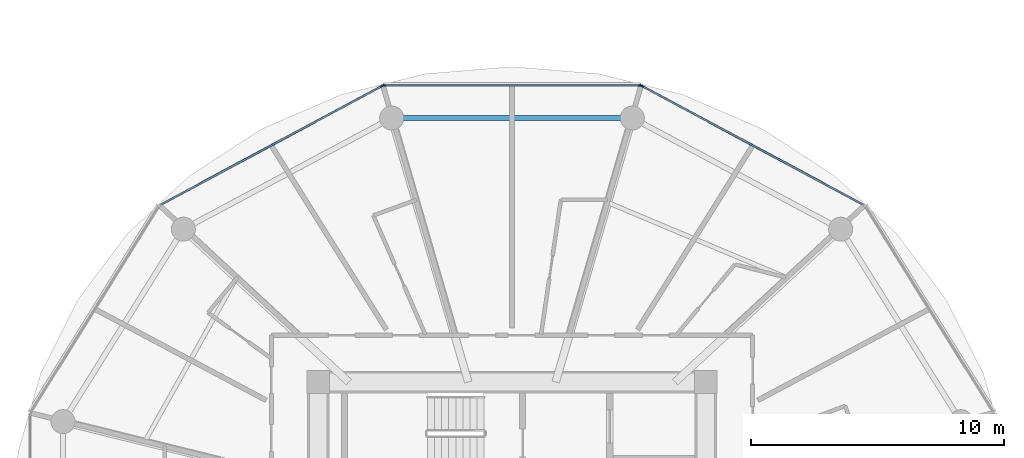
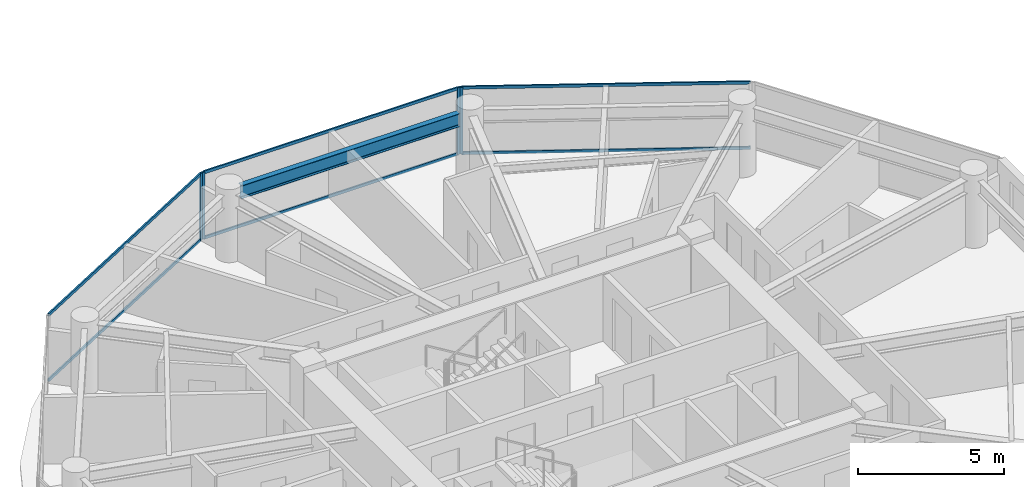
# One storey, part 9 of 27: 10 members, 1 beam, 3 elements without a shape of their own.
"""IFC4 building model written with IfcOpenShell, lengths in metres."""

from ifc_helpers import new_model, si_unit, direction, frame, origin, origin_2d, place, context, subcontext, project, spatial, rectangle, i_section, extrude, source, transform, mapped, material, layer, layer_set, material_profile, profile_set, type_object, type_shapes, element, aggregate, save


model = new_model("IFC4")

# Units and contexts
model_context = context("Model", 3, precision=1e-05, world=origin(), true_north=direction((0.0, 1.0)))
body_context = subcontext(model_context, "Body", "Model", "MODEL_VIEW")
ifc_project = project(units=[si_unit("LENGTHUNIT", "METRE"), si_unit("AREAUNIT", "SQUARE_METRE"), si_unit("VOLUMEUNIT", "CUBIC_METRE"), si_unit("PLANEANGLEUNIT", "RADIAN"), si_unit("MASSUNIT", "GRAM", prefix="KILO")], contexts=[model_context])

# Site, building, storey
site_placement = place(None, origin())
site = spatial("IfcSite", under=ifc_project, at=site_placement, CompositionType="ELEMENT")
building_placement = place(site_placement, origin())
building = spatial("IfcBuilding", under=site, at=building_placement, Name="Norrkilde Senior Care Towers", CompositionType="ELEMENT")
storey_placement = place(building_placement, frame((0.0, 0.0, 61.25)))
storey = spatial("IfcBuildingStorey", under=building, at=storey_placement, Name="L18", CompositionType="ELEMENT", Elevation=61.25)

# Beam
ifc_material_1 = material(Name="Steel S355", Category="steel")
ifc_material_profile_1 = material_profile(ifc_material_1, i_section(OverallWidth=0.2099609375, OverallDepth=0.550048828125, WebThickness=0.010986328125, FlangeThickness=0.01708984375, FilletRadius=0.02392578125, at=origin_2d()), Name="IPE 550")
ifc_profile_set_1 = profile_set([ifc_material_profile_1], Name="Steel S355")
beam_type = type_object("IfcBeamType", Name="Perimeter Ring Spandrel Z1 IPE550", PredefinedType="SPANDREL", material=ifc_profile_set_1)
shared_shape_1 = source(origin(), body_context, "Body", "SweptSolid", [
    extrude(i_section(OverallWidth=0.2099609375, OverallDepth=0.550048828125, WebThickness=0.010986328125, FlangeThickness=0.01708984375, FilletRadius=0.02392578125, at=origin_2d()), origin(), (0.0, 0.0, 1.0), 8.62841796875),
])
type_shapes(beam_type, [shared_shape_1])
beam_placement = place(storey_placement, frame((-23.685791015625, 16.37255859375, 2.514892578125), z_axis=(-1.0, 0.0, 0.0), x_axis=(0.0, -1.0, 0.0)))
element("IfcBeam", 1, at=beam_placement, inside=storey, type_object=beam_type, Name="L18 Drum W Perimeter Spandrel 03", PredefinedType="SPANDREL", context=body_context, shape_type="MappedRepresentation", body=[
    mapped(shared_shape_1, transform((0.0, 0.0, 0.0), x_axis=(1.0, 0.0, 0.0), y_axis=(0.0, 1.0, 0.0), z_axis=(0.0, 0.0, 1.0), scale=1.0)),
])

# Curtain wall, member
ifc_material_2 = material(Name="Triple Low-E Insulated Glazing", Category="glass")
ifc_layer = layer(ifc_material_2, 0.199951171875)
ifc_layer_set = layer_set([ifc_layer], Name="Triple Low-E Insulated Glazing")
curtain_wall_type = type_object("IfcCurtainWallType", Name="CW2 Zone 1 Memory Care Curtain Wall", PredefinedType="NOTDEFINED", material=ifc_layer_set)
curtain_wall_1_placement = place(storey_placement, origin())
curtain_wall_1 = element("IfcCurtainWall", 2, at=curtain_wall_1_placement, inside=storey, type_object=curtain_wall_type, Name="L18 Drum W Curtain Wall 01", PredefinedType="NOTDEFINED")
ifc_material_3 = material(Name="Anodised Aluminium", Category="aluminium")
ifc_material_profile_2 = material_profile(ifc_material_3, rectangle(XDim=0.06494140625, YDim=0.159912109375, at=origin_2d()), Name="ALU MULL 65x160")
ifc_profile_set_2 = profile_set([ifc_material_profile_2], Name="Anodised Aluminium")
member_type_1 = type_object("IfcMemberType", Name="Curtain Wall Mullion Z1-Z2 65x160", PredefinedType="MULLION", material=ifc_profile_set_2)
shared_shape_2 = source(origin(), body_context, "Body", "SweptSolid", [
    extrude(rectangle(XDim=0.06494140625, YDim=0.159912109375, at=origin_2d()), origin(), (0.0, 0.0, 1.0), 2.7900390625),
])
type_shapes(member_type_1, [shared_shape_2])
member_1_placement = place(storey_placement, frame((-22.877685546875, 17.641845703125, 0.0), z_axis=(0.0, 0.0, 1.0), x_axis=(0.472607802456, 0.881272866403, 0.0)))
member_1 = element("IfcMember", 3, at=member_1_placement, type_object=member_type_1, Name="CW-2 mullion 1", PredefinedType="MULLION", context=body_context, shape_type="MappedRepresentation", body=[
    mapped(shared_shape_2, transform((0.0, 0.0, 0.0), x_axis=(1.0, 0.0, 0.0), y_axis=(0.0, 1.0, 0.0), z_axis=(0.0, 0.0, 1.0), scale=1.0)),
])

# Curtain wall, members
curtain_wall_2_placement = place(storey_placement, origin())
curtain_wall_2 = element("IfcCurtainWall", 4, at=curtain_wall_2_placement, inside=storey, type_object=curtain_wall_type, Name="L18 Drum W Curtain Wall 02", PredefinedType="NOTDEFINED")
member_2_placement = place(storey_placement, frame((-33.06103515625, 17.6572265625, 0.0), z_axis=(0.0, 0.0, 1.0), x_axis=(0.0, 1.0, 0.0)))
member_2 = element("IfcMember", 5, at=member_2_placement, type_object=member_type_1, Name="CW-2 mullion 1", PredefinedType="MULLION", context=body_context, shape_type="MappedRepresentation", body=[
    mapped(shared_shape_2, transform((0.0, 0.0, 0.0), x_axis=(1.0, 0.0, 0.0), y_axis=(0.0, 1.0, 0.0), z_axis=(0.0, 0.0, 1.0), scale=1.0)),
])
member_3_placement = place(storey_placement, frame((-22.93896484375, 17.6572265625, 0.0), z_axis=(0.0, 0.0, 1.0), x_axis=(0.0, 1.0, 0.0)))
member_3 = element("IfcMember", 6, at=member_3_placement, type_object=member_type_1, Name="CW-2 mullion 2", PredefinedType="MULLION", context=body_context, shape_type="MappedRepresentation", body=[
    mapped(shared_shape_2, transform((0.0, 0.0, 0.0), x_axis=(1.0, 0.0, 0.0), y_axis=(0.0, 1.0, 0.0), z_axis=(0.0, 0.0, 1.0), scale=1.0)),
])

# Curtain wall, member
curtain_wall_3_placement = place(storey_placement, origin())
curtain_wall_3 = element("IfcCurtainWall", 7, at=curtain_wall_3_placement, inside=storey, type_object=curtain_wall_type, Name="L18 Drum W Curtain Wall 03", PredefinedType="NOTDEFINED")
member_4_placement = place(storey_placement, frame((-33.122314453125, 17.641845703125, 0.0), z_axis=(0.0, 0.0, 1.0), x_axis=(-0.472607802456, 0.881272866403, 0.0)))
member_4 = element("IfcMember", 8, at=member_4_placement, type_object=member_type_1, Name="CW-2 mullion 2", PredefinedType="MULLION", context=body_context, shape_type="MappedRepresentation", body=[
    mapped(shared_shape_2, transform((0.0, 0.0, 0.0), x_axis=(1.0, 0.0, 0.0), y_axis=(0.0, 1.0, 0.0), z_axis=(0.0, 0.0, 1.0), scale=1.0)),
])

# Member
ifc_material_profile_3 = material_profile(ifc_material_3, rectangle(XDim=0.06005859375, YDim=0.1201171875, at=origin_2d()), Name="ALU TRAN 60x120")
ifc_profile_set_3 = profile_set([ifc_material_profile_3], Name="Anodised Aluminium")
member_type_2 = type_object("IfcMemberType", Name="Curtain Wall Transom Typical 60x120", PredefinedType="USERDEFINED", material=ifc_profile_set_3)
shared_shape_3 = source(origin(), body_context, "Body", "SweptSolid", [
    extrude(rectangle(XDim=0.06005859375, YDim=0.1201171875, at=origin_2d()), origin(), (0.0, 0.0, 1.0), 9.880859375),
])
member_5_placement = place(storey_placement, frame((-22.84912109375, 17.62646484375, 0.030029296875), z_axis=(0.881267204043, -0.47261836092, 0.0), x_axis=(0.47261836092, 0.881267204043, 0.0)))
member_5 = element("IfcMember", 9, at=member_5_placement, type_object=member_type_2, Name="CW-2 transom 1.1", ObjectType="TRANSOM", PredefinedType="USERDEFINED", context=body_context, shape_type="MappedRepresentation", body=[
    mapped(shared_shape_3, transform((0.0, 0.0, 0.0), x_axis=(1.0, 0.0, 0.0), y_axis=(0.0, 1.0, 0.0), z_axis=(0.0, 0.0, 1.0), scale=1.0)),
])

member_6_placement = place(storey_placement, frame((-22.84912109375, 17.62646484375, 2.760009765625), z_axis=(0.881267204043, -0.47261836092, 0.0), x_axis=(0.47261836092, 0.881267204043, 0.0)))
member_6 = element("IfcMember", 10, at=member_6_placement, type_object=member_type_2, Name="CW-2 transom 1.2", ObjectType="TRANSOM", PredefinedType="USERDEFINED", context=body_context, shape_type="MappedRepresentation", body=[
    mapped(shared_shape_3, transform((0.0, 0.0, 0.0), x_axis=(1.0, 0.0, 0.0), y_axis=(0.0, 1.0, 0.0), z_axis=(0.0, 0.0, 1.0), scale=1.0)),
])

aggregate(curtain_wall_1, [member_1, member_5, member_6])

member_7_placement = place(storey_placement, frame((-41.858642578125, 12.95654296875, 0.030029296875), z_axis=(0.881267204043, 0.47261836092, 0.0), x_axis=(-0.47261836092, 0.881267204043, 0.0)))
member_7 = element("IfcMember", 11, at=member_7_placement, type_object=member_type_2, Name="CW-2 transom 1.1", ObjectType="TRANSOM", PredefinedType="USERDEFINED", context=body_context, shape_type="MappedRepresentation", body=[
    mapped(shared_shape_3, transform((0.0, 0.0, 0.0), x_axis=(1.0, 0.0, 0.0), y_axis=(0.0, 1.0, 0.0), z_axis=(0.0, 0.0, 1.0), scale=1.0)),
])

member_8_placement = place(storey_placement, frame((-41.858642578125, 12.95654296875, 2.760009765625), z_axis=(0.881267204043, 0.47261836092, 0.0), x_axis=(-0.47261836092, 0.881267204043, 0.0)))
member_8 = element("IfcMember", 12, at=member_8_placement, type_object=member_type_2, Name="CW-2 transom 1.2", ObjectType="TRANSOM", PredefinedType="USERDEFINED", context=body_context, shape_type="MappedRepresentation", body=[
    mapped(shared_shape_3, transform((0.0, 0.0, 0.0), x_axis=(1.0, 0.0, 0.0), y_axis=(0.0, 1.0, 0.0), z_axis=(0.0, 0.0, 1.0), scale=1.0)),
])

aggregate(curtain_wall_3, [member_4, member_7, member_8])

shared_shape_4 = source(origin(), body_context, "Body", "SweptSolid", [
    extrude(rectangle(XDim=0.06005859375, YDim=0.1201171875, at=origin_2d()), origin(), (0.0, 0.0, 1.0), 10.05712890625),
])
type_shapes(member_type_2, [shared_shape_3, shared_shape_4])
member_9_placement = place(storey_placement, frame((-33.028564453125, 17.6572265625, 0.030029296875), z_axis=(1.0, 0.0, 0.0), x_axis=(0.0, 1.0, 0.0)))
member_9 = element("IfcMember", 13, at=member_9_placement, type_object=member_type_2, Name="CW-2 transom 1.1", ObjectType="TRANSOM", PredefinedType="USERDEFINED", context=body_context, shape_type="MappedRepresentation", body=[
    mapped(shared_shape_4, transform((0.0, 0.0, 0.0), x_axis=(1.0, 0.0, 0.0), y_axis=(0.0, 1.0, 0.0), z_axis=(0.0, 0.0, 1.0), scale=1.0)),
])

member_10_placement = place(storey_placement, frame((-33.028564453125, 17.6572265625, 2.760009765625), z_axis=(1.0, 0.0, 0.0), x_axis=(0.0, 1.0, 0.0)))
member_10 = element("IfcMember", 14, at=member_10_placement, type_object=member_type_2, Name="CW-2 transom 1.2", ObjectType="TRANSOM", PredefinedType="USERDEFINED", context=body_context, shape_type="MappedRepresentation", body=[
    mapped(shared_shape_4, transform((0.0, 0.0, 0.0), x_axis=(1.0, 0.0, 0.0), y_axis=(0.0, 1.0, 0.0), z_axis=(0.0, 0.0, 1.0), scale=1.0)),
])

aggregate(curtain_wall_2, [member_2, member_3, member_9, member_10])

save(model, "model.ifc")
